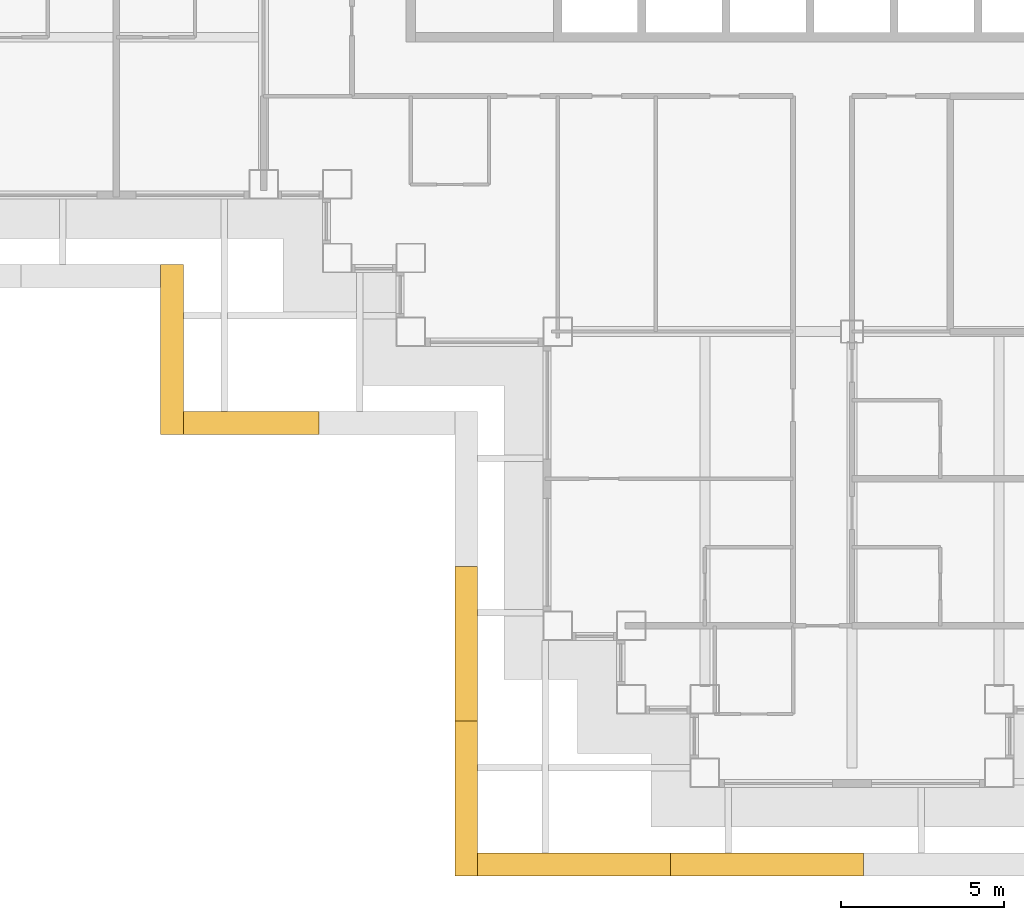
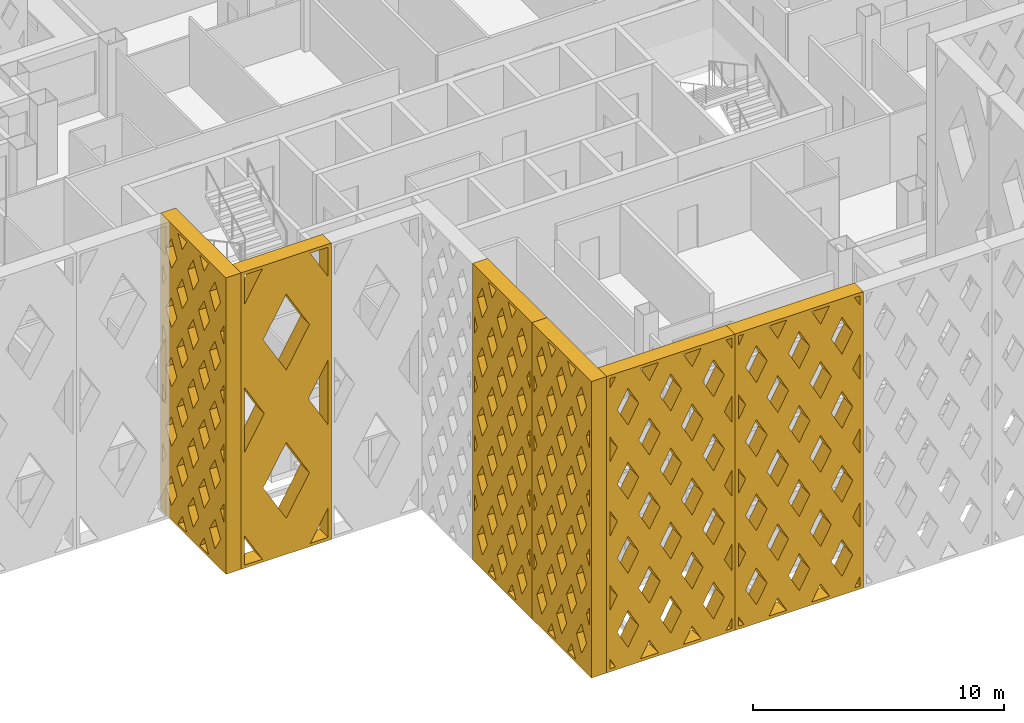
# One storey, part 13 of 21: 6 shading devices.
"""IFC4 building model written with IfcOpenShell, lengths in metres."""

from ifc_helpers import new_model, si_unit, direction, frame, origin, place, context, subcontext, project, spatial, polyline, outline, extrude, material, type_object, element, save


model = new_model("IFC4")

# Units and contexts
model_context = context("Model", 3, precision=1e-05, world=origin(), true_north=direction((0.0, 1.0)))
body_context = subcontext(model_context, "Body", "Model", "MODEL_VIEW")
ifc_project = project(units=[si_unit("LENGTHUNIT", "METRE"), si_unit("AREAUNIT", "SQUARE_METRE"), si_unit("VOLUMEUNIT", "CUBIC_METRE"), si_unit("PLANEANGLEUNIT", "RADIAN"), si_unit("MASSUNIT", "GRAM", prefix="KILO")], contexts=[model_context])

# Site, building, storey
site_placement = place(None, origin())
site = spatial("IfcSite", under=ifc_project, at=site_placement, CompositionType="ELEMENT")
building_placement = place(site_placement, origin())
building = spatial("IfcBuilding", under=site, at=building_placement, Name="Caravel Reach Hotel and Residences", CompositionType="ELEMENT")
storey_placement = place(building_placement, frame((0.0, 0.0, 100.800048828125)))
storey = spatial("IfcBuildingStorey", under=building, at=storey_placement, Name="L24", CompositionType="ELEMENT", Elevation=100.800048828125)

# Shading devices
ifc_material_1 = material(Name="Black powder-coated aluminium", Category="aluminium")
shading_device_type_1 = type_object("IfcShadingDeviceType", Name="Diamond lattice screen panel 4150 x 14400", PredefinedType="USERDEFINED", material=ifc_material_1)
shading_device_1_placement = place(storey_placement, frame((11.050048828125, 11.050048828125, 0.0), z_axis=(0.0, -1.0, 0.0), x_axis=(1.0, 0.0, 0.0)))
element("IfcShadingDevice", 1, at=shading_device_1_placement, inside=storey, type_object=shading_device_type_1, Name="Lattice screen L24-L27 20.1", ObjectType="SCREEN", PredefinedType="USERDEFINED", context=body_context, shape_type="SweptSolid", body=[
    extrude(outline(polyline([(0.0, 0.0), (4.14990234375, 0.0), (4.14990234375, 14.39990234375), (0.0, 14.39990234375), (0.0, 0.0)]), holes=[polyline([(0.97802734375, 0.14990234375), (0.14990234375, 1.586669921875), (0.14990234375, 0.14990234375), (0.97802734375, 0.14990234375)]), polyline([(1.064697265625, 7.199951171875), (0.14990234375, 8.786865234375), (0.14990234375, 5.61328125), (1.064697265625, 7.199951171875)]), polyline([(0.14990234375, 12.813232421875), (0.97802734375, 14.25), (0.14990234375, 14.25), (0.14990234375, 12.813232421875)]), polyline([(2.074951171875, 5.447021484375), (1.010498046875, 3.60009765625), (2.074951171875, 1.7529296875), (3.1396484375, 3.60009765625), (2.074951171875, 5.447021484375)]), polyline([(2.074951171875, 12.64697265625), (1.010498046875, 10.800048828125), (2.074951171875, 8.953125), (3.1396484375, 10.800048828125), (2.074951171875, 12.64697265625)]), polyline([(4.0, 1.586669921875), (3.171875, 0.14990234375), (4.0, 0.14990234375), (4.0, 1.586669921875)]), polyline([(3.08544921875, 7.199951171875), (4.0, 5.61328125), (4.0, 8.786865234375), (3.08544921875, 7.199951171875)]), polyline([(3.171875, 14.25), (4.0, 12.813232421875), (4.0, 14.25), (3.171875, 14.25)])]), origin(), (0.0, 0.0, 1.0), 0.699951171875),
])
ifc_material_2 = material(Name="Black powder-coated aluminium", Category="aluminium")
shading_device_type_2 = type_object("IfcShadingDeviceType", Name="Diamond lattice screen panel 4733 x 14400", PredefinedType="USERDEFINED", material=ifc_material_2)
shading_device_2_placement = place(storey_placement, frame((20.050048828125, 6.316650390625, 0.0), z_axis=(-1.0, 0.0, 0.0), x_axis=(0.0, -1.0, 0.0)))
element("IfcShadingDevice", 2, at=shading_device_2_placement, inside=storey, type_object=shading_device_type_2, Name="Lattice screen L24-L27 1.2", ObjectType="SCREEN", PredefinedType="USERDEFINED", context=body_context, shape_type="SweptSolid", body=[
    extrude(outline(polyline([(0.0, 0.0), (4.7333984375, 0.0), (4.7333984375, 14.39990234375), (0.0, 14.39990234375), (0.0, 0.0)]), holes=[polyline([(0.39892578125, 2.8798828125), (0.14990234375, 3.334228515625), (0.14990234375, 2.42578125), (0.39892578125, 2.8798828125)]), polyline([(0.39892578125, 5.760009765625), (0.14990234375, 6.21435546875), (0.14990234375, 5.3056640625), (0.39892578125, 5.760009765625)]), polyline([(0.39892578125, 8.639892578125), (0.14990234375, 9.09423828125), (0.14990234375, 8.185791015625), (0.39892578125, 8.639892578125)]), polyline([(0.39892578125, 11.52001953125), (0.14990234375, 11.974365234375), (0.14990234375, 11.065673828125), (0.39892578125, 11.52001953125)]), polyline([(0.788818359375, 2.16796875), (0.39013671875, 1.43994140625), (0.788818359375, 0.7119140625), (1.187744140625, 1.43994140625), (0.788818359375, 2.16796875)]), polyline([(0.788818359375, 5.048095703125), (0.39013671875, 4.320068359375), (0.788818359375, 3.592041015625), (1.187744140625, 4.320068359375), (0.788818359375, 5.048095703125)]), polyline([(0.788818359375, 7.927978515625), (0.39013671875, 7.199951171875), (0.788818359375, 6.471923828125), (1.187744140625, 7.199951171875), (0.788818359375, 7.927978515625)]), polyline([(0.788818359375, 10.80810546875), (0.39013671875, 10.080078125), (0.788818359375, 9.35205078125), (1.187744140625, 10.080078125), (0.788818359375, 10.80810546875)]), polyline([(0.788818359375, 13.68798828125), (0.39013671875, 12.9599609375), (0.788818359375, 12.23193359375), (1.187744140625, 12.9599609375), (0.788818359375, 13.68798828125)]), polyline([(1.577880859375, 0.72802734375), (1.260986328125, 0.14990234375), (1.89453125, 0.14990234375), (1.577880859375, 0.72802734375)]), polyline([(1.577880859375, 3.608154296875), (1.178955078125, 2.8798828125), (1.577880859375, 2.15185546875), (1.9765625, 2.8798828125), (1.577880859375, 3.608154296875)]), polyline([(1.577880859375, 6.488037109375), (1.178955078125, 5.760009765625), (1.577880859375, 5.031982421875), (1.9765625, 5.760009765625), (1.577880859375, 6.488037109375)]), polyline([(1.577880859375, 9.3681640625), (1.178955078125, 8.639892578125), (1.577880859375, 7.911865234375), (1.9765625, 8.639892578125), (1.577880859375, 9.3681640625)]), polyline([(1.577880859375, 12.248046875), (1.178955078125, 11.52001953125), (1.577880859375, 10.7919921875), (1.9765625, 11.52001953125), (1.577880859375, 12.248046875)]), polyline([(1.577880859375, 13.671875), (1.89453125, 14.25), (1.260986328125, 14.25), (1.577880859375, 13.671875)]), polyline([(2.36669921875, 2.16796875), (1.9677734375, 1.43994140625), (2.36669921875, 0.7119140625), (2.765625, 1.43994140625), (2.36669921875, 2.16796875)]), polyline([(2.36669921875, 5.048095703125), (1.9677734375, 4.320068359375), (2.36669921875, 3.592041015625), (2.765625, 4.320068359375), (2.36669921875, 5.048095703125)]), polyline([(2.36669921875, 7.927978515625), (1.9677734375, 7.199951171875), (2.36669921875, 6.471923828125), (2.765625, 7.199951171875), (2.36669921875, 7.927978515625)]), polyline([(2.36669921875, 10.80810546875), (1.9677734375, 10.080078125), (2.36669921875, 9.35205078125), (2.765625, 10.080078125), (2.36669921875, 10.80810546875)]), polyline([(2.36669921875, 13.68798828125), (1.9677734375, 12.9599609375), (2.36669921875, 12.23193359375), (2.765625, 12.9599609375), (2.36669921875, 13.68798828125)]), polyline([(3.155517578125, 0.72802734375), (2.8388671875, 0.14990234375), (3.47216796875, 0.14990234375), (3.155517578125, 0.72802734375)]), polyline([(3.155517578125, 3.608154296875), (2.756591796875, 2.8798828125), (3.155517578125, 2.15185546875), (3.554443359375, 2.8798828125), (3.155517578125, 3.608154296875)]), polyline([(3.155517578125, 6.488037109375), (2.756591796875, 5.760009765625), (3.155517578125, 5.031982421875), (3.554443359375, 5.760009765625), (3.155517578125, 6.488037109375)]), polyline([(3.155517578125, 9.3681640625), (2.756591796875, 8.639892578125), (3.155517578125, 7.911865234375), (3.554443359375, 8.639892578125), (3.155517578125, 9.3681640625)]), polyline([(3.155517578125, 12.248046875), (2.756591796875, 11.52001953125), (3.155517578125, 10.7919921875), (3.554443359375, 11.52001953125), (3.155517578125, 12.248046875)]), polyline([(3.155517578125, 13.671875), (3.47216796875, 14.25), (2.8388671875, 14.25), (3.155517578125, 13.671875)]), polyline([(3.9443359375, 2.16796875), (3.545654296875, 1.43994140625), (3.9443359375, 0.7119140625), (4.34326171875, 1.43994140625), (3.9443359375, 2.16796875)]), polyline([(3.9443359375, 5.048095703125), (3.545654296875, 4.320068359375), (3.9443359375, 3.592041015625), (4.34326171875, 4.320068359375), (3.9443359375, 5.048095703125)]), polyline([(3.9443359375, 7.927978515625), (3.545654296875, 7.199951171875), (3.9443359375, 6.471923828125), (4.34326171875, 7.199951171875), (3.9443359375, 7.927978515625)]), polyline([(3.9443359375, 10.80810546875), (3.545654296875, 10.080078125), (3.9443359375, 9.35205078125), (4.34326171875, 10.080078125), (3.9443359375, 10.80810546875)]), polyline([(3.9443359375, 13.68798828125), (3.545654296875, 12.9599609375), (3.9443359375, 12.23193359375), (4.34326171875, 12.9599609375), (3.9443359375, 13.68798828125)]), polyline([(4.33447265625, 2.8798828125), (4.583251953125, 2.42578125), (4.583251953125, 3.334228515625), (4.33447265625, 2.8798828125)]), polyline([(4.33447265625, 5.760009765625), (4.583251953125, 5.3056640625), (4.583251953125, 6.21435546875), (4.33447265625, 5.760009765625)]), polyline([(4.33447265625, 8.639892578125), (4.583251953125, 8.185791015625), (4.583251953125, 9.09423828125), (4.33447265625, 8.639892578125)]), polyline([(4.33447265625, 11.52001953125), (4.583251953125, 11.065673828125), (4.583251953125, 11.974365234375), (4.33447265625, 11.52001953125)])]), origin(), (0.0, 0.0, 1.0), 0.699951171875),
])
shading_device_3_placement = place(storey_placement, frame((20.050048828125, 1.583251953125, 0.0), z_axis=(-1.0, 0.0, 0.0), x_axis=(0.0, -1.0, 0.0)))
element("IfcShadingDevice", 3, at=shading_device_3_placement, inside=storey, type_object=shading_device_type_2, Name="Lattice screen L24-L27 1.3", ObjectType="SCREEN", PredefinedType="USERDEFINED", context=body_context, shape_type="SweptSolid", body=[
    extrude(outline(polyline([(0.0, 0.0), (4.7333984375, 0.0), (4.7333984375, 14.39990234375), (0.0, 14.39990234375), (0.0, 0.0)]), holes=[polyline([(0.39892578125, 2.8798828125), (0.14990234375, 3.334228515625), (0.14990234375, 2.42578125), (0.39892578125, 2.8798828125)]), polyline([(0.39892578125, 5.760009765625), (0.14990234375, 6.21435546875), (0.14990234375, 5.3056640625), (0.39892578125, 5.760009765625)]), polyline([(0.39892578125, 8.639892578125), (0.14990234375, 9.09423828125), (0.14990234375, 8.185791015625), (0.39892578125, 8.639892578125)]), polyline([(0.39892578125, 11.52001953125), (0.14990234375, 11.974365234375), (0.14990234375, 11.065673828125), (0.39892578125, 11.52001953125)]), polyline([(0.788818359375, 2.16796875), (0.39013671875, 1.43994140625), (0.788818359375, 0.7119140625), (1.187744140625, 1.43994140625), (0.788818359375, 2.16796875)]), polyline([(0.788818359375, 5.048095703125), (0.39013671875, 4.320068359375), (0.788818359375, 3.592041015625), (1.187744140625, 4.320068359375), (0.788818359375, 5.048095703125)]), polyline([(0.788818359375, 7.927978515625), (0.39013671875, 7.199951171875), (0.788818359375, 6.471923828125), (1.187744140625, 7.199951171875), (0.788818359375, 7.927978515625)]), polyline([(0.788818359375, 10.80810546875), (0.39013671875, 10.080078125), (0.788818359375, 9.35205078125), (1.187744140625, 10.080078125), (0.788818359375, 10.80810546875)]), polyline([(0.788818359375, 13.68798828125), (0.39013671875, 12.9599609375), (0.788818359375, 12.23193359375), (1.187744140625, 12.9599609375), (0.788818359375, 13.68798828125)]), polyline([(1.577880859375, 0.72802734375), (1.260986328125, 0.14990234375), (1.89453125, 0.14990234375), (1.577880859375, 0.72802734375)]), polyline([(1.577880859375, 3.608154296875), (1.178955078125, 2.8798828125), (1.577880859375, 2.15185546875), (1.9765625, 2.8798828125), (1.577880859375, 3.608154296875)]), polyline([(1.577880859375, 6.488037109375), (1.178955078125, 5.760009765625), (1.577880859375, 5.031982421875), (1.9765625, 5.760009765625), (1.577880859375, 6.488037109375)]), polyline([(1.577880859375, 9.3681640625), (1.178955078125, 8.639892578125), (1.577880859375, 7.911865234375), (1.9765625, 8.639892578125), (1.577880859375, 9.3681640625)]), polyline([(1.577880859375, 12.248046875), (1.178955078125, 11.52001953125), (1.577880859375, 10.7919921875), (1.9765625, 11.52001953125), (1.577880859375, 12.248046875)]), polyline([(1.577880859375, 13.671875), (1.89453125, 14.25), (1.260986328125, 14.25), (1.577880859375, 13.671875)]), polyline([(2.36669921875, 2.16796875), (1.9677734375, 1.43994140625), (2.36669921875, 0.7119140625), (2.765625, 1.43994140625), (2.36669921875, 2.16796875)]), polyline([(2.36669921875, 5.048095703125), (1.9677734375, 4.320068359375), (2.36669921875, 3.592041015625), (2.765625, 4.320068359375), (2.36669921875, 5.048095703125)]), polyline([(2.36669921875, 7.927978515625), (1.9677734375, 7.199951171875), (2.36669921875, 6.471923828125), (2.765625, 7.199951171875), (2.36669921875, 7.927978515625)]), polyline([(2.36669921875, 10.80810546875), (1.9677734375, 10.080078125), (2.36669921875, 9.35205078125), (2.765625, 10.080078125), (2.36669921875, 10.80810546875)]), polyline([(2.36669921875, 13.68798828125), (1.9677734375, 12.9599609375), (2.36669921875, 12.23193359375), (2.765625, 12.9599609375), (2.36669921875, 13.68798828125)]), polyline([(3.155517578125, 0.72802734375), (2.8388671875, 0.14990234375), (3.47216796875, 0.14990234375), (3.155517578125, 0.72802734375)]), polyline([(3.155517578125, 3.608154296875), (2.756591796875, 2.8798828125), (3.155517578125, 2.15185546875), (3.554443359375, 2.8798828125), (3.155517578125, 3.608154296875)]), polyline([(3.155517578125, 6.488037109375), (2.756591796875, 5.760009765625), (3.155517578125, 5.031982421875), (3.554443359375, 5.760009765625), (3.155517578125, 6.488037109375)]), polyline([(3.155517578125, 9.3681640625), (2.756591796875, 8.639892578125), (3.155517578125, 7.911865234375), (3.554443359375, 8.639892578125), (3.155517578125, 9.3681640625)]), polyline([(3.155517578125, 12.248046875), (2.756591796875, 11.52001953125), (3.155517578125, 10.7919921875), (3.554443359375, 11.52001953125), (3.155517578125, 12.248046875)]), polyline([(3.155517578125, 13.671875), (3.47216796875, 14.25), (2.8388671875, 14.25), (3.155517578125, 13.671875)]), polyline([(3.9443359375, 2.16796875), (3.545654296875, 1.43994140625), (3.9443359375, 0.7119140625), (4.34326171875, 1.43994140625), (3.9443359375, 2.16796875)]), polyline([(3.9443359375, 5.048095703125), (3.545654296875, 4.320068359375), (3.9443359375, 3.592041015625), (4.34326171875, 4.320068359375), (3.9443359375, 5.048095703125)]), polyline([(3.9443359375, 7.927978515625), (3.545654296875, 7.199951171875), (3.9443359375, 6.471923828125), (4.34326171875, 7.199951171875), (3.9443359375, 7.927978515625)]), polyline([(3.9443359375, 10.80810546875), (3.545654296875, 10.080078125), (3.9443359375, 9.35205078125), (4.34326171875, 10.080078125), (3.9443359375, 10.80810546875)]), polyline([(3.9443359375, 13.68798828125), (3.545654296875, 12.9599609375), (3.9443359375, 12.23193359375), (4.34326171875, 12.9599609375), (3.9443359375, 13.68798828125)]), polyline([(4.33447265625, 2.8798828125), (4.583251953125, 2.42578125), (4.583251953125, 3.334228515625), (4.33447265625, 2.8798828125)]), polyline([(4.33447265625, 5.760009765625), (4.583251953125, 5.3056640625), (4.583251953125, 6.21435546875), (4.33447265625, 5.760009765625)]), polyline([(4.33447265625, 8.639892578125), (4.583251953125, 8.185791015625), (4.583251953125, 9.09423828125), (4.33447265625, 8.639892578125)]), polyline([(4.33447265625, 11.52001953125), (4.583251953125, 11.065673828125), (4.583251953125, 11.974365234375), (4.33447265625, 11.52001953125)])]), origin(), (0.0, 0.0, 1.0), 0.699951171875),
])
ifc_material_3 = material(Name="Black powder-coated aluminium", Category="aluminium")
shading_device_type_3 = type_object("IfcShadingDeviceType", Name="Diamond lattice screen panel 5200 x 14400", PredefinedType="USERDEFINED", material=ifc_material_3)
shading_device_4_placement = place(storey_placement, frame((11.050048828125, 15.550048828125, 0.0), z_axis=(-1.0, 0.0, 0.0), x_axis=(0.0, -1.0, 0.0)))
element("IfcShadingDevice", 4, at=shading_device_4_placement, inside=storey, type_object=shading_device_type_3, Name="Lattice screen L24-L27 19.1", ObjectType="SCREEN", PredefinedType="USERDEFINED", context=body_context, shape_type="SweptSolid", body=[
    extrude(outline(polyline([(0.0, 0.0), (5.199951171875, 0.0), (5.199951171875, 14.39990234375), (0.0, 14.39990234375), (0.0, 0.0)]), holes=[polyline([(0.436767578125, 2.8798828125), (0.14990234375, 3.3564453125), (0.14990234375, 2.403564453125), (0.436767578125, 2.8798828125)]), polyline([(0.436767578125, 5.760009765625), (0.14990234375, 6.236572265625), (0.14990234375, 5.283447265625), (0.436767578125, 5.760009765625)]), polyline([(0.436767578125, 8.639892578125), (0.14990234375, 9.116455078125), (0.14990234375, 8.16357421875), (0.436767578125, 8.639892578125)]), polyline([(0.436767578125, 11.52001953125), (0.14990234375, 11.99658203125), (0.14990234375, 11.04345703125), (0.436767578125, 11.52001953125)]), polyline([(0.86669921875, 2.165771484375), (0.429931640625, 1.43994140625), (0.86669921875, 0.71435546875), (1.303466796875, 1.43994140625), (0.86669921875, 2.165771484375)]), polyline([(0.86669921875, 5.045654296875), (0.429931640625, 4.320068359375), (0.86669921875, 3.59423828125), (1.303466796875, 4.320068359375), (0.86669921875, 5.045654296875)]), polyline([(0.86669921875, 7.92578125), (0.429931640625, 7.199951171875), (0.86669921875, 6.474365234375), (1.303466796875, 7.199951171875), (0.86669921875, 7.92578125)]), polyline([(0.86669921875, 10.8056640625), (0.429931640625, 10.080078125), (0.86669921875, 9.354248046875), (1.303466796875, 10.080078125), (0.86669921875, 10.8056640625)]), polyline([(0.86669921875, 13.685791015625), (0.429931640625, 12.9599609375), (0.86669921875, 12.234130859375), (1.303466796875, 12.9599609375), (0.86669921875, 13.685791015625)]), polyline([(1.7333984375, 0.725830078125), (1.38671875, 0.14990234375), (2.079833984375, 0.14990234375), (1.7333984375, 0.725830078125)]), polyline([(1.7333984375, 3.605712890625), (1.296630859375, 2.8798828125), (1.7333984375, 2.154296875), (2.170166015625, 2.8798828125), (1.7333984375, 3.605712890625)]), polyline([(1.7333984375, 6.48583984375), (1.296630859375, 5.760009765625), (1.7333984375, 5.0341796875), (2.170166015625, 5.760009765625), (1.7333984375, 6.48583984375)]), polyline([(1.7333984375, 9.36572265625), (1.296630859375, 8.639892578125), (1.7333984375, 7.914306640625), (2.170166015625, 8.639892578125), (1.7333984375, 9.36572265625)]), polyline([(1.7333984375, 12.245849609375), (1.296630859375, 11.52001953125), (1.7333984375, 10.794189453125), (2.170166015625, 11.52001953125), (1.7333984375, 12.245849609375)]), polyline([(1.7333984375, 13.67431640625), (2.079833984375, 14.25), (1.38671875, 14.25), (1.7333984375, 13.67431640625)]), polyline([(2.60009765625, 2.165771484375), (2.1630859375, 1.43994140625), (2.60009765625, 0.71435546875), (3.036865234375, 1.43994140625), (2.60009765625, 2.165771484375)]), polyline([(2.60009765625, 5.045654296875), (2.1630859375, 4.320068359375), (2.60009765625, 3.59423828125), (3.036865234375, 4.320068359375), (2.60009765625, 5.045654296875)]), polyline([(2.60009765625, 7.92578125), (2.1630859375, 7.199951171875), (2.60009765625, 6.474365234375), (3.036865234375, 7.199951171875), (2.60009765625, 7.92578125)]), polyline([(2.60009765625, 10.8056640625), (2.1630859375, 10.080078125), (2.60009765625, 9.354248046875), (3.036865234375, 10.080078125), (2.60009765625, 10.8056640625)]), polyline([(2.60009765625, 13.685791015625), (2.1630859375, 12.9599609375), (2.60009765625, 12.234130859375), (3.036865234375, 12.9599609375), (2.60009765625, 13.685791015625)]), polyline([(3.466552734375, 0.725830078125), (3.1201171875, 0.14990234375), (3.813232421875, 0.14990234375), (3.466552734375, 0.725830078125)]), polyline([(3.466552734375, 3.605712890625), (3.02978515625, 2.8798828125), (3.466552734375, 2.154296875), (3.903564453125, 2.8798828125), (3.466552734375, 3.605712890625)]), polyline([(3.466552734375, 6.48583984375), (3.02978515625, 5.760009765625), (3.466552734375, 5.0341796875), (3.903564453125, 5.760009765625), (3.466552734375, 6.48583984375)]), polyline([(3.466552734375, 9.36572265625), (3.02978515625, 8.639892578125), (3.466552734375, 7.914306640625), (3.903564453125, 8.639892578125), (3.466552734375, 9.36572265625)]), polyline([(3.466552734375, 12.245849609375), (3.02978515625, 11.52001953125), (3.466552734375, 10.794189453125), (3.903564453125, 11.52001953125), (3.466552734375, 12.245849609375)]), polyline([(3.466552734375, 13.67431640625), (3.813232421875, 14.25), (3.1201171875, 14.25), (3.466552734375, 13.67431640625)]), polyline([(4.333251953125, 2.165771484375), (3.896484375, 1.43994140625), (4.333251953125, 0.71435546875), (4.77001953125, 1.43994140625), (4.333251953125, 2.165771484375)]), polyline([(4.333251953125, 5.045654296875), (3.896484375, 4.320068359375), (4.333251953125, 3.59423828125), (4.77001953125, 4.320068359375), (4.333251953125, 5.045654296875)]), polyline([(4.333251953125, 7.92578125), (3.896484375, 7.199951171875), (4.333251953125, 6.474365234375), (4.77001953125, 7.199951171875), (4.333251953125, 7.92578125)]), polyline([(4.333251953125, 10.8056640625), (3.896484375, 10.080078125), (4.333251953125, 9.354248046875), (4.77001953125, 10.080078125), (4.333251953125, 10.8056640625)]), polyline([(4.333251953125, 13.685791015625), (3.896484375, 12.9599609375), (4.333251953125, 12.234130859375), (4.77001953125, 12.9599609375), (4.333251953125, 13.685791015625)]), polyline([(4.76318359375, 2.8798828125), (5.050048828125, 2.403564453125), (5.050048828125, 3.3564453125), (4.76318359375, 2.8798828125)]), polyline([(4.76318359375, 5.760009765625), (5.050048828125, 5.283447265625), (5.050048828125, 6.236572265625), (4.76318359375, 5.760009765625)]), polyline([(4.76318359375, 8.639892578125), (5.050048828125, 8.16357421875), (5.050048828125, 9.116455078125), (4.76318359375, 8.639892578125)]), polyline([(4.76318359375, 11.52001953125), (5.050048828125, 11.04345703125), (5.050048828125, 11.99658203125), (4.76318359375, 11.52001953125)])]), origin(), (0.0, 0.0, 1.0), 0.699951171875),
])
ifc_material_4 = material(Name="Black powder-coated aluminium", Category="aluminium")
shading_device_type_4 = type_object("IfcShadingDeviceType", Name="Diamond lattice screen panel 5900 x 14400", PredefinedType="USERDEFINED", material=ifc_material_4)
shading_device_5_placement = place(storey_placement, frame((20.050048828125, -2.449951171875, 0.0), z_axis=(0.0, -1.0, 0.0), x_axis=(1.0, 0.0, 0.0)))
element("IfcShadingDevice", 5, at=shading_device_5_placement, inside=storey, type_object=shading_device_type_4, Name="Lattice screen L24-L27 2.1", ObjectType="SCREEN", PredefinedType="USERDEFINED", context=body_context, shape_type="SweptSolid", body=[
    extrude(outline(polyline([(0.0, 0.0), (5.89990234375, 0.0), (5.89990234375, 14.39990234375), (0.0, 14.39990234375), (0.0, 0.0)]), holes=[polyline([(0.40966796875, 0.14990234375), (0.14990234375, 0.62548828125), (0.14990234375, 0.14990234375), (0.40966796875, 0.14990234375)]), polyline([(0.49169921875, 3.60009765625), (0.14990234375, 4.2255859375), (0.14990234375, 2.974609375), (0.49169921875, 3.60009765625)]), polyline([(0.49169921875, 7.199951171875), (0.14990234375, 7.825439453125), (0.14990234375, 6.574462890625), (0.49169921875, 7.199951171875)]), polyline([(0.49169921875, 10.800048828125), (0.14990234375, 11.425537109375), (0.14990234375, 10.174560546875), (0.49169921875, 10.800048828125)]), polyline([(0.14990234375, 13.7744140625), (0.40966796875, 14.25), (0.14990234375, 14.25), (0.14990234375, 13.7744140625)]), polyline([(0.9833984375, 2.699951171875), (0.49169921875, 1.800048828125), (0.9833984375, 0.89990234375), (1.47509765625, 1.800048828125), (0.9833984375, 2.699951171875)]), polyline([(0.9833984375, 6.300048828125), (0.49169921875, 5.39990234375), (0.9833984375, 4.5), (1.47509765625, 5.39990234375), (0.9833984375, 6.300048828125)]), polyline([(0.9833984375, 9.900146484375), (0.49169921875, 9.0), (0.9833984375, 8.099853515625), (1.47509765625, 9.0), (0.9833984375, 9.900146484375)]), polyline([(0.9833984375, 13.5), (0.49169921875, 12.60009765625), (0.9833984375, 11.699951171875), (1.47509765625, 12.60009765625), (0.9833984375, 13.5)]), polyline([(1.966552734375, 0.900146484375), (1.556884765625, 0.14990234375), (2.37646484375, 0.14990234375), (1.966552734375, 0.900146484375)]), polyline([(1.966552734375, 4.5), (1.474853515625, 3.60009765625), (1.966552734375, 2.699951171875), (2.458251953125, 3.60009765625), (1.966552734375, 4.5)]), polyline([(1.966552734375, 8.10009765625), (1.474853515625, 7.199951171875), (1.966552734375, 6.300048828125), (2.458251953125, 7.199951171875), (1.966552734375, 8.10009765625)]), polyline([(1.966552734375, 11.699951171875), (1.474853515625, 10.800048828125), (1.966552734375, 9.89990234375), (2.458251953125, 10.800048828125), (1.966552734375, 11.699951171875)]), polyline([(1.966552734375, 13.5), (2.37646484375, 14.25), (1.556884765625, 14.25), (1.966552734375, 13.5)]), polyline([(2.949951171875, 2.699951171875), (2.458251953125, 1.800048828125), (2.949951171875, 0.89990234375), (3.441650390625, 1.800048828125), (2.949951171875, 2.699951171875)]), polyline([(2.949951171875, 6.300048828125), (2.458251953125, 5.39990234375), (2.949951171875, 4.5), (3.441650390625, 5.39990234375), (2.949951171875, 6.300048828125)]), polyline([(2.949951171875, 9.900146484375), (2.458251953125, 9.0), (2.949951171875, 8.099853515625), (3.441650390625, 9.0), (2.949951171875, 9.900146484375)]), polyline([(2.949951171875, 13.5), (2.458251953125, 12.60009765625), (2.949951171875, 11.699951171875), (3.441650390625, 12.60009765625), (2.949951171875, 13.5)]), polyline([(3.933349609375, 0.900146484375), (3.523681640625, 0.14990234375), (4.343017578125, 0.14990234375), (3.933349609375, 0.900146484375)]), polyline([(3.933349609375, 4.5), (3.441650390625, 3.60009765625), (3.933349609375, 2.699951171875), (4.425048828125, 3.60009765625), (3.933349609375, 4.5)]), polyline([(3.933349609375, 8.10009765625), (3.441650390625, 7.199951171875), (3.933349609375, 6.300048828125), (4.425048828125, 7.199951171875), (3.933349609375, 8.10009765625)]), polyline([(3.933349609375, 11.699951171875), (3.441650390625, 10.800048828125), (3.933349609375, 9.89990234375), (4.425048828125, 10.800048828125), (3.933349609375, 11.699951171875)]), polyline([(3.933349609375, 13.5), (4.343017578125, 14.25), (3.523681640625, 14.25), (3.933349609375, 13.5)]), polyline([(4.916748046875, 2.699951171875), (4.425048828125, 1.800048828125), (4.916748046875, 0.89990234375), (5.408447265625, 1.800048828125), (4.916748046875, 2.699951171875)]), polyline([(4.916748046875, 6.300048828125), (4.425048828125, 5.39990234375), (4.916748046875, 4.5), (5.408447265625, 5.39990234375), (4.916748046875, 6.300048828125)]), polyline([(4.916748046875, 9.900146484375), (4.425048828125, 9.0), (4.916748046875, 8.099853515625), (5.408447265625, 9.0), (4.916748046875, 9.900146484375)]), polyline([(4.916748046875, 13.5), (4.425048828125, 12.60009765625), (4.916748046875, 11.699951171875), (5.408447265625, 12.60009765625), (4.916748046875, 13.5)]), polyline([(5.75, 0.62548828125), (5.490234375, 0.14990234375), (5.75, 0.14990234375), (5.75, 0.62548828125)]), polyline([(5.408203125, 3.60009765625), (5.75, 2.974609375), (5.75, 4.2255859375), (5.408203125, 3.60009765625)]), polyline([(5.408203125, 7.199951171875), (5.75, 6.574462890625), (5.75, 7.825439453125), (5.408203125, 7.199951171875)]), polyline([(5.408203125, 10.800048828125), (5.75, 10.174560546875), (5.75, 11.425537109375), (5.408203125, 10.800048828125)]), polyline([(5.490234375, 14.25), (5.75, 13.7744140625), (5.75, 14.25), (5.490234375, 14.25)])]), origin(), (0.0, 0.0, 1.0), 0.699951171875),
])
shading_device_6_placement = place(storey_placement, frame((25.949951171875, -2.449951171875, 0.0), z_axis=(0.0, -1.0, 0.0), x_axis=(1.0, 0.0, 0.0)))
element("IfcShadingDevice", 6, at=shading_device_6_placement, inside=storey, type_object=shading_device_type_4, Name="Lattice screen L24-L27 2.2", ObjectType="SCREEN", PredefinedType="USERDEFINED", context=body_context, shape_type="SweptSolid", body=[
    extrude(outline(polyline([(0.0, 0.0), (5.89990234375, 0.0), (5.89990234375, 14.39990234375), (0.0, 14.39990234375), (0.0, 0.0)]), holes=[polyline([(0.40966796875, 0.14990234375), (0.14990234375, 0.62548828125), (0.14990234375, 0.14990234375), (0.40966796875, 0.14990234375)]), polyline([(0.49169921875, 3.60009765625), (0.14990234375, 4.2255859375), (0.14990234375, 2.974609375), (0.49169921875, 3.60009765625)]), polyline([(0.49169921875, 7.199951171875), (0.14990234375, 7.825439453125), (0.14990234375, 6.574462890625), (0.49169921875, 7.199951171875)]), polyline([(0.49169921875, 10.800048828125), (0.14990234375, 11.425537109375), (0.14990234375, 10.174560546875), (0.49169921875, 10.800048828125)]), polyline([(0.14990234375, 13.7744140625), (0.40966796875, 14.25), (0.14990234375, 14.25), (0.14990234375, 13.7744140625)]), polyline([(0.9833984375, 2.699951171875), (0.49169921875, 1.800048828125), (0.9833984375, 0.89990234375), (1.47509765625, 1.800048828125), (0.9833984375, 2.699951171875)]), polyline([(0.9833984375, 6.300048828125), (0.49169921875, 5.39990234375), (0.9833984375, 4.5), (1.47509765625, 5.39990234375), (0.9833984375, 6.300048828125)]), polyline([(0.9833984375, 9.900146484375), (0.49169921875, 9.0), (0.9833984375, 8.099853515625), (1.47509765625, 9.0), (0.9833984375, 9.900146484375)]), polyline([(0.9833984375, 13.5), (0.49169921875, 12.60009765625), (0.9833984375, 11.699951171875), (1.47509765625, 12.60009765625), (0.9833984375, 13.5)]), polyline([(1.966552734375, 0.900146484375), (1.556884765625, 0.14990234375), (2.37646484375, 0.14990234375), (1.966552734375, 0.900146484375)]), polyline([(1.966552734375, 4.5), (1.474853515625, 3.60009765625), (1.966552734375, 2.699951171875), (2.458251953125, 3.60009765625), (1.966552734375, 4.5)]), polyline([(1.966552734375, 8.10009765625), (1.474853515625, 7.199951171875), (1.966552734375, 6.300048828125), (2.458251953125, 7.199951171875), (1.966552734375, 8.10009765625)]), polyline([(1.966552734375, 11.699951171875), (1.474853515625, 10.800048828125), (1.966552734375, 9.89990234375), (2.458251953125, 10.800048828125), (1.966552734375, 11.699951171875)]), polyline([(1.966552734375, 13.5), (2.37646484375, 14.25), (1.556884765625, 14.25), (1.966552734375, 13.5)]), polyline([(2.949951171875, 2.699951171875), (2.458251953125, 1.800048828125), (2.949951171875, 0.89990234375), (3.441650390625, 1.800048828125), (2.949951171875, 2.699951171875)]), polyline([(2.949951171875, 6.300048828125), (2.458251953125, 5.39990234375), (2.949951171875, 4.5), (3.441650390625, 5.39990234375), (2.949951171875, 6.300048828125)]), polyline([(2.949951171875, 9.900146484375), (2.458251953125, 9.0), (2.949951171875, 8.099853515625), (3.441650390625, 9.0), (2.949951171875, 9.900146484375)]), polyline([(2.949951171875, 13.5), (2.458251953125, 12.60009765625), (2.949951171875, 11.699951171875), (3.441650390625, 12.60009765625), (2.949951171875, 13.5)]), polyline([(3.933349609375, 0.900146484375), (3.523681640625, 0.14990234375), (4.343017578125, 0.14990234375), (3.933349609375, 0.900146484375)]), polyline([(3.933349609375, 4.5), (3.441650390625, 3.60009765625), (3.933349609375, 2.699951171875), (4.425048828125, 3.60009765625), (3.933349609375, 4.5)]), polyline([(3.933349609375, 8.10009765625), (3.441650390625, 7.199951171875), (3.933349609375, 6.300048828125), (4.425048828125, 7.199951171875), (3.933349609375, 8.10009765625)]), polyline([(3.933349609375, 11.699951171875), (3.441650390625, 10.800048828125), (3.933349609375, 9.89990234375), (4.425048828125, 10.800048828125), (3.933349609375, 11.699951171875)]), polyline([(3.933349609375, 13.5), (4.343017578125, 14.25), (3.523681640625, 14.25), (3.933349609375, 13.5)]), polyline([(4.916748046875, 2.699951171875), (4.425048828125, 1.800048828125), (4.916748046875, 0.89990234375), (5.408447265625, 1.800048828125), (4.916748046875, 2.699951171875)]), polyline([(4.916748046875, 6.300048828125), (4.425048828125, 5.39990234375), (4.916748046875, 4.5), (5.408447265625, 5.39990234375), (4.916748046875, 6.300048828125)]), polyline([(4.916748046875, 9.900146484375), (4.425048828125, 9.0), (4.916748046875, 8.099853515625), (5.408447265625, 9.0), (4.916748046875, 9.900146484375)]), polyline([(4.916748046875, 13.5), (4.425048828125, 12.60009765625), (4.916748046875, 11.699951171875), (5.408447265625, 12.60009765625), (4.916748046875, 13.5)]), polyline([(5.75, 0.62548828125), (5.490234375, 0.14990234375), (5.75, 0.14990234375), (5.75, 0.62548828125)]), polyline([(5.408203125, 3.60009765625), (5.75, 2.974609375), (5.75, 4.2255859375), (5.408203125, 3.60009765625)]), polyline([(5.408203125, 7.199951171875), (5.75, 6.574462890625), (5.75, 7.825439453125), (5.408203125, 7.199951171875)]), polyline([(5.408203125, 10.800048828125), (5.75, 10.174560546875), (5.75, 11.425537109375), (5.408203125, 10.800048828125)]), polyline([(5.490234375, 14.25), (5.75, 13.7744140625), (5.75, 14.25), (5.490234375, 14.25)])]), origin(), (0.0, 0.0, 1.0), 0.699951171875),
])

save(model, "model.ifc")
